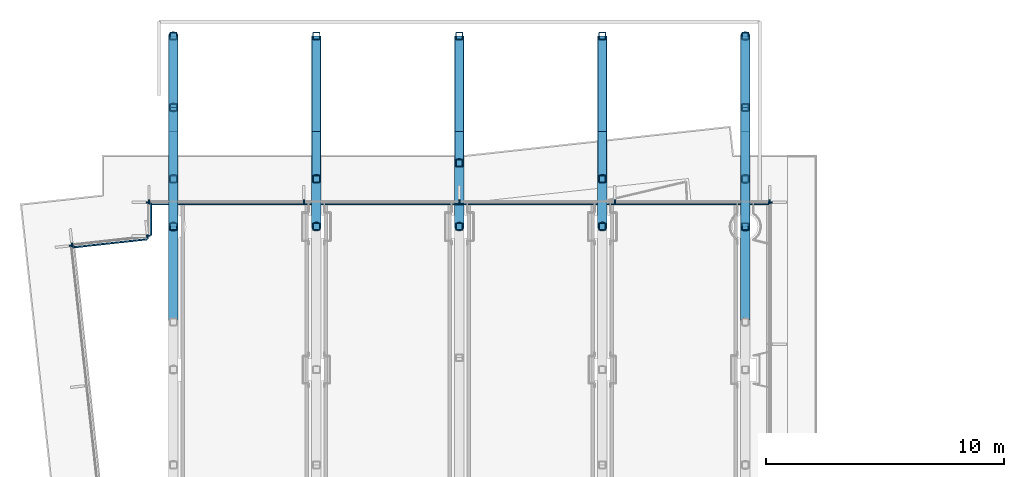
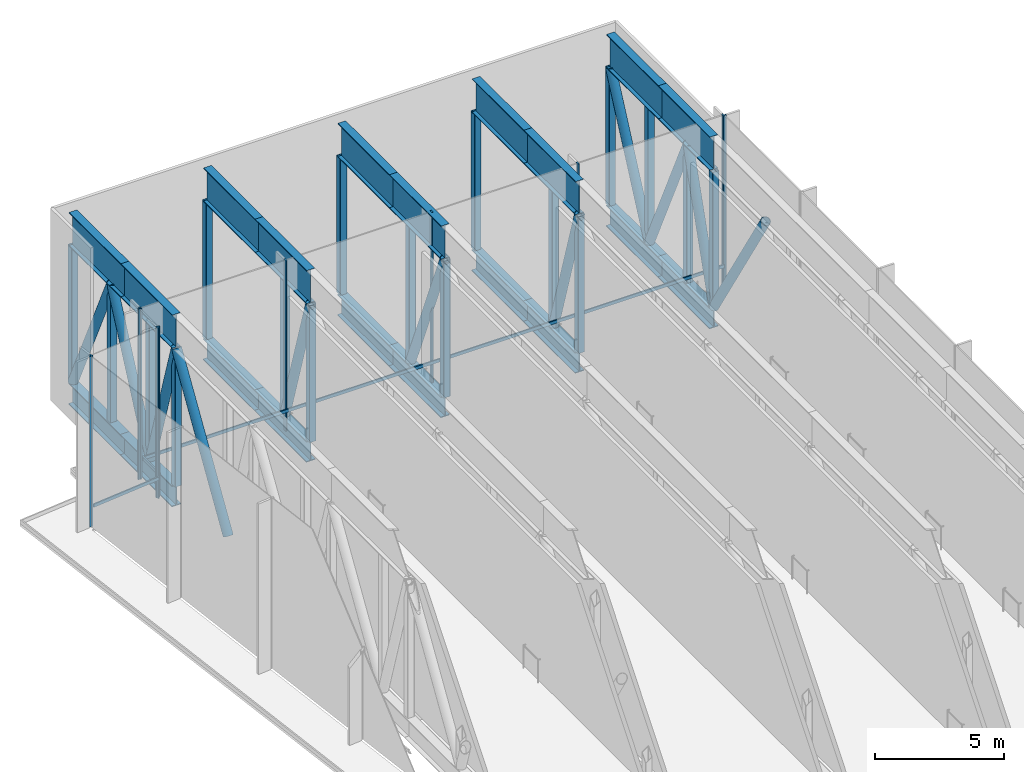
# One storey, part 9 of 22: 62 members, 5 elements without a shape of their own.
"""IFC4 building model written with IfcOpenShell, lengths in metres."""

from ifc_helpers import new_model, si_unit, direction, frame, origin, origin_2d, place, context, subcontext, project, spatial, rectangle, hollow_rectangle, hollow_circle, i_section, extrude, material, layer, layer_set, material_profile, profile_set, type_object, element, aggregate, save


model = new_model("IFC4")

# Units and contexts
model_context = context("Model", 3, precision=1e-05, world=origin(), true_north=direction((0.0, 1.0)))
body_context = subcontext(model_context, "Body", "Model", "MODEL_VIEW")
ifc_project = project(units=[si_unit("LENGTHUNIT", "METRE"), si_unit("AREAUNIT", "SQUARE_METRE"), si_unit("VOLUMEUNIT", "CUBIC_METRE"), si_unit("PLANEANGLEUNIT", "RADIAN"), si_unit("MASSUNIT", "GRAM", prefix="KILO")], contexts=[model_context])

# Site, building, storey
site_placement = place(None, origin())
site = spatial("IfcSite", under=ifc_project, at=site_placement, CompositionType="ELEMENT")
building_placement = place(site_placement, origin())
building = spatial("IfcBuilding", under=site, at=building_placement, Name="Welwitschia Terrace Campus", CompositionType="ELEMENT")
storey_placement = place(building_placement, frame((0.0, 0.0, 197.0)))
storey = spatial("IfcBuildingStorey", under=building, at=storey_placement, Name="L44", CompositionType="ELEMENT", Elevation=197.0)

# Curtain wall, member
ifc_material_1 = material(Name="Bronze anodised aluminium", Category="aluminium")
ifc_layer = layer(ifc_material_1, 0.159912109375)
ifc_layer_set = layer_set([ifc_layer], Name="Bronze anodised aluminium")
curtain_wall_type = type_object("IfcCurtainWallType", Name="Curtain wall CW3 commons 6000", PredefinedType="NOTDEFINED", material=ifc_layer_set)
curtain_wall_1_placement = place(storey_placement, origin())
curtain_wall_1 = element("IfcCurtainWall", 1, at=curtain_wall_1_placement, inside=storey, type_object=curtain_wall_type, Name="CW L44.4.0", PredefinedType="NOTDEFINED")
ifc_material_2 = material(Name="Bronze anodised aluminium", Category="aluminium")
ifc_material_profile_1 = material_profile(ifc_material_2, rectangle(XDim=0.159912109375, YDim=0.06005859375, at=origin_2d()))
ifc_profile_set_1 = profile_set([ifc_material_profile_1], Name="Bronze anodised aluminium")
member_type_1 = type_object("IfcMemberType", Name="Mullion 60x160", PredefinedType="MULLION", material=ifc_profile_set_1)
member_1_placement = place(storey_placement, frame((25.050048828125, 63.02001953125, 0.0), z_axis=(0.0, 0.0, 1.0), x_axis=(-1.0, 0.0, 0.0)))
member_1 = element("IfcMember", 2, at=member_1_placement, type_object=member_type_1, Name="Mullion L44.4.0.5", PredefinedType="MULLION", context=body_context, shape_type="SweptSolid", body=[
    extrude(rectangle(XDim=0.159912109375, YDim=0.06005859375, at=origin_2d()), origin(), (0.0, 0.0, 1.0), 8.050048828125),
])
aggregate(curtain_wall_1, [member_1])

# Curtain wall, members
curtain_wall_2_placement = place(storey_placement, origin())
curtain_wall_2 = element("IfcCurtainWall", 3, at=curtain_wall_2_placement, inside=storey, type_object=curtain_wall_type, Name="CW L44.5.0", PredefinedType="NOTDEFINED")
member_2_placement = place(storey_placement, frame((25.02001953125, 63.050048828125, 0.0), z_axis=(0.0, 0.0, 1.0), x_axis=(0.0, -1.0, 0.0)))
member_2 = element("IfcMember", 4, at=member_2_placement, type_object=member_type_1, Name="Mullion L44.5.0.0", PredefinedType="MULLION", context=body_context, shape_type="SweptSolid", body=[
    extrude(rectangle(XDim=0.159912109375, YDim=0.06005859375, at=origin_2d()), origin(), (0.0, 0.0, 1.0), 8.050048828125),
])
member_3_placement = place(storey_placement, frame((18.52490234375, 63.050048828125, 0.0), z_axis=(0.0, 0.0, 1.0), x_axis=(0.0, -1.0, 0.0)))
member_3 = element("IfcMember", 5, at=member_3_placement, type_object=member_type_1, Name="Mullion L44.5.0.1", PredefinedType="MULLION", context=body_context, shape_type="SweptSolid", body=[
    extrude(rectangle(XDim=0.159912109375, YDim=0.06005859375, at=origin_2d()), origin(), (0.0, 0.0, 1.0), 8.050048828125),
])
member_4_placement = place(storey_placement, frame((12.0, 63.050048828125, 0.0), z_axis=(0.0, 0.0, 1.0), x_axis=(0.0, -1.0, 0.0)))
member_4 = element("IfcMember", 6, at=member_4_placement, type_object=member_type_1, Name="Mullion L44.5.0.2", PredefinedType="MULLION", context=body_context, shape_type="SweptSolid", body=[
    extrude(rectangle(XDim=0.159912109375, YDim=0.06005859375, at=origin_2d()), origin(), (0.0, 0.0, 1.0), 8.050048828125),
])
member_5_placement = place(storey_placement, frame((5.47509765625, 63.050048828125, 0.0), z_axis=(0.0, 0.0, 1.0), x_axis=(0.0, -1.0, 0.0)))
member_5 = element("IfcMember", 7, at=member_5_placement, type_object=member_type_1, Name="Mullion L44.5.0.3", PredefinedType="MULLION", context=body_context, shape_type="SweptSolid", body=[
    extrude(rectangle(XDim=0.159912109375, YDim=0.06005859375, at=origin_2d()), origin(), (0.0, 0.0, 1.0), 8.050048828125),
])
member_6_placement = place(storey_placement, frame((-1.02001953125, 63.050048828125, 0.0), z_axis=(0.0, 0.0, 1.0), x_axis=(0.0, -1.0, 0.0)))
member_6 = element("IfcMember", 8, at=member_6_placement, type_object=member_type_1, Name="Mullion L44.5.0.4", PredefinedType="MULLION", context=body_context, shape_type="SweptSolid", body=[
    extrude(rectangle(XDim=0.159912109375, YDim=0.06005859375, at=origin_2d()), origin(), (0.0, 0.0, 1.0), 8.050048828125),
])

curtain_wall_3_placement = place(storey_placement, origin())
curtain_wall_3 = element("IfcCurtainWall", 9, at=curtain_wall_3_placement, inside=storey, type_object=curtain_wall_type, Name="CW L44.6.0", PredefinedType="NOTDEFINED")
member_7_placement = place(storey_placement, frame((-1.050048828125, 63.02001953125, 0.0), z_axis=(0.0, 0.0, 1.0), x_axis=(1.0, 0.0, 0.0)))
member_7 = element("IfcMember", 10, at=member_7_placement, type_object=member_type_1, Name="Mullion L44.6.0.0", PredefinedType="MULLION", context=body_context, shape_type="SweptSolid", body=[
    extrude(rectangle(XDim=0.159912109375, YDim=0.06005859375, at=origin_2d()), origin(), (0.0, 0.0, 1.0), 8.050048828125),
])
member_8_placement = place(storey_placement, frame((-1.050048828125, 61.61669921875, 0.0), z_axis=(0.0, 0.0, 1.0), x_axis=(1.0, 0.0, 0.0)))
member_8 = element("IfcMember", 11, at=member_8_placement, type_object=member_type_1, Name="Mullion L44.6.0.1", PredefinedType="MULLION", context=body_context, shape_type="SweptSolid", body=[
    extrude(rectangle(XDim=0.159912109375, YDim=0.06005859375, at=origin_2d()), origin(), (0.0, 0.0, 1.0), 8.050048828125),
])

curtain_wall_4_placement = place(storey_placement, origin())
curtain_wall_4 = element("IfcCurtainWall", 12, at=curtain_wall_4_placement, inside=storey, type_object=curtain_wall_type, Name="CW L44.7.0", PredefinedType="NOTDEFINED")
member_9_placement = place(storey_placement, frame((-1.079833984375, 61.58349609375, 0.0), z_axis=(0.0, 0.0, 1.0), x_axis=(0.108866874852, -0.994056338222, 0.0)))
member_9 = element("IfcMember", 13, at=member_9_placement, type_object=member_type_1, Name="Mullion L44.7.0.0", PredefinedType="MULLION", context=body_context, shape_type="SweptSolid", body=[
    extrude(rectangle(XDim=0.159912109375, YDim=0.06005859375, at=origin_2d()), origin(), (0.0, 0.0, 1.0), 8.050048828125),
])
member_10_placement = place(storey_placement, frame((-4.2529296875, 61.23583984375, 0.0), z_axis=(0.0, 0.0, 1.0), x_axis=(0.108866874852, -0.994056338222, 0.0)))
member_10 = element("IfcMember", 14, at=member_10_placement, type_object=member_type_1, Name="Mullion L44.7.0.1", PredefinedType="MULLION", context=body_context, shape_type="SweptSolid", body=[
    extrude(rectangle(XDim=0.159912109375, YDim=0.06005859375, at=origin_2d()), origin(), (0.0, 0.0, 1.0), 8.050048828125),
])

# Curtain wall, member
curtain_wall_5_placement = place(storey_placement, origin())
curtain_wall_5 = element("IfcCurtainWall", 15, at=curtain_wall_5_placement, inside=storey, type_object=curtain_wall_type, Name="CW L44.8.0", PredefinedType="NOTDEFINED")
member_11_placement = place(storey_placement, frame((-4.279541015625, 61.202880859375, 0.0), z_axis=(0.0, 0.0, 1.0), x_axis=(0.994056338222, 0.108866874852, 0.0)))
member_11 = element("IfcMember", 16, at=member_11_placement, type_object=member_type_1, Name="Mullion L44.8.0.0", PredefinedType="MULLION", context=body_context, shape_type="SweptSolid", body=[
    extrude(rectangle(XDim=0.159912109375, YDim=0.06005859375, at=origin_2d()), origin(), (0.0, 0.0, 1.0), 8.050048828125),
])
aggregate(curtain_wall_5, [member_11])

# Members
ifc_material_3 = material(Name="Steel S355", Category="steel")
ifc_material_profile_2 = material_profile(ifc_material_3, i_section(OverallWidth=0.39990234375, OverallDepth=1.0, WebThickness=0.034912109375, FlangeThickness=0.0400390625, at=origin_2d()))
ifc_profile_set_2 = profile_set([ifc_material_profile_2], Name="Steel S355")
member_type_2 = type_object("IfcMemberType", Name="Transfer truss C3 bottom cantilever chord WI 1000x400x35x40", PredefinedType="CHORD", material=ifc_profile_set_2)
for number, where, z_axis, x_axis, name in (
    (17, (0.0, 62.0, -0.5), (0.0, 1.0, 0.0), (-1.0, 0.0, 0.0), "Truss bottom chord"),
    (18, (0.0, 66.0, -0.5), (0.0, 1.0, 0.0), (-1.0, 0.0, 0.0), "Truss bottom chord"),
    (19, (6.0, 62.0, -0.5), (0.0, 1.0, 0.0), (-1.0, 0.0, 0.0), "Truss bottom chord"),
    (20, (6.0, 66.0, -0.5), (0.0, 1.0, 0.0), (-1.0, 0.0, 0.0), "Truss bottom chord"),
    (21, (12.0, 62.0, -0.5), (0.0, 1.0, 0.0), (-1.0, 0.0, 0.0), "Truss bottom chord"),
    (22, (12.0, 66.0, -0.5), (0.0, 1.0, 0.0), (-1.0, 0.0, 0.0), "Truss bottom chord"),
    (23, (18.0, 62.0, -0.5), (0.0, 1.0, 0.0), (-1.0, 0.0, 0.0), "Truss bottom chord"),
    (24, (18.0, 66.0, -0.5), (0.0, 1.0, 0.0), (-1.0, 0.0, 0.0), "Truss bottom chord"),
    (25, (24.0, 62.0, -0.5), (0.0, 1.0, 0.0), (-1.0, 0.0, 0.0), "Truss bottom chord"),
    (26, (24.0, 66.0, -0.5), (0.0, 1.0, 0.0), (-1.0, 0.0, 0.0), "Truss bottom chord"),
):
    element("IfcMember", number, at=place(storey_placement, frame(where, z_axis=z_axis, x_axis=x_axis)), inside=storey, type_object=member_type_2, Name=name, PredefinedType="CHORD", context=body_context, shape_type="SweptSolid", body=[
        extrude(i_section(OverallWidth=0.39990234375, OverallDepth=1.0, WebThickness=0.034912109375, FlangeThickness=0.0400390625, at=origin_2d()), origin(), (0.0, 0.0, 1.0), 4.0),
    ])
ifc_material_4 = material(Name="Steel S355", Category="steel")
ifc_material_profile_3 = material_profile(ifc_material_4, hollow_circle(Radius=0.203125, WallThickness=0.01611328125, at=origin_2d()))
ifc_profile_set_3 = profile_set([ifc_material_profile_3], Name="Steel S355")
member_type_3 = type_object("IfcMemberType", Name="Transfer truss C3 diagonal CHS 406.4x16", PredefinedType="BRACE", material=ifc_profile_set_3)
member_12_placement = place(storey_placement, frame((0.0, 58.0, 0.0), z_axis=(0.0, 0.527037721004, 0.849841891553), x_axis=(-1.0, 0.0, 0.0)))
element("IfcMember", 27, at=member_12_placement, inside=storey, type_object=member_type_3, Name="Truss diagonal", PredefinedType="BRACE", context=body_context, shape_type="SweptSolid", body=[
    extrude(hollow_circle(Radius=0.203125, WallThickness=0.01611328125, at=origin_2d()), origin(), (0.0, 0.0, 1.0), 7.589599609375),
])
member_13_placement = place(storey_placement, frame((0.0, 64.0, 0.0), z_axis=(0.0, -0.296168365803, 0.955135749042), x_axis=(1.0, 0.0, 0.0)))
element("IfcMember", 28, at=member_13_placement, inside=storey, type_object=member_type_3, Name="Truss diagonal", PredefinedType="BRACE", context=body_context, shape_type="SweptSolid", body=[
    extrude(hollow_circle(Radius=0.203125, WallThickness=0.01611328125, at=origin_2d()), origin(), (0.0, 0.0, 1.0), 6.7529296875),
])
for number, where, z_axis, x_axis, name in (
    (29, (0.0, 64.0, 0.0), (0.0, 0.421733374511, 0.906719891049), (-1.0, 0.0, 0.0), "Truss diagonal"),
    (30, (0.0, 70.0, 0.0), (0.0, -0.421733374511, 0.906719891049), (1.0, 0.0, 0.0), "Truss diagonal"),
):
    element("IfcMember", number, at=place(storey_placement, frame(where, z_axis=z_axis, x_axis=x_axis)), inside=storey, type_object=member_type_3, Name=name, PredefinedType="BRACE", context=body_context, shape_type="SweptSolid", body=[
        extrude(hollow_circle(Radius=0.203125, WallThickness=0.01611328125, at=origin_2d()), origin(), (0.0, 0.0, 1.0), 7.113525390625),
    ])
member_14_placement = place(storey_placement, frame((6.0, 64.0, 0.0), z_axis=(0.0, -0.296168365803, 0.955135749042), x_axis=(1.0, 0.0, 0.0)))
element("IfcMember", 31, at=member_14_placement, inside=storey, type_object=member_type_3, Name="Truss diagonal", PredefinedType="BRACE", context=body_context, shape_type="SweptSolid", body=[
    extrude(hollow_circle(Radius=0.203125, WallThickness=0.01611328125, at=origin_2d()), origin(), (0.0, 0.0, 1.0), 6.7529296875),
])
member_15_placement = place(storey_placement, frame((12.0, 64.6669921875, 0.0), z_axis=(0.0, -0.382112855981, 0.924115666621), x_axis=(1.0, 0.0, 0.0)))
element("IfcMember", 32, at=member_15_placement, inside=storey, type_object=member_type_3, Name="Truss diagonal", PredefinedType="BRACE", context=body_context, shape_type="SweptSolid", body=[
    extrude(hollow_circle(Radius=0.203125, WallThickness=0.01611328125, at=origin_2d()), origin(), (0.0, 0.0, 1.0), 6.9794921875),
])
member_16_placement = place(storey_placement, frame((18.0, 64.0, 0.0), z_axis=(0.0, -0.296168365803, 0.955135749042), x_axis=(1.0, 0.0, 0.0)))
element("IfcMember", 33, at=member_16_placement, inside=storey, type_object=member_type_3, Name="Truss diagonal", PredefinedType="BRACE", context=body_context, shape_type="SweptSolid", body=[
    extrude(hollow_circle(Radius=0.203125, WallThickness=0.01611328125, at=origin_2d()), origin(), (0.0, 0.0, 1.0), 6.7529296875),
])
member_17_placement = place(storey_placement, frame((24.0, 62.0, 0.0), z_axis=(0.0, -0.527037721004, 0.849841891553), x_axis=(1.0, 0.0, 0.0)))
element("IfcMember", 34, at=member_17_placement, inside=storey, type_object=member_type_3, Name="Truss diagonal", PredefinedType="BRACE", context=body_context, shape_type="SweptSolid", body=[
    extrude(hollow_circle(Radius=0.203125, WallThickness=0.01611328125, at=origin_2d()), origin(), (0.0, 0.0, 1.0), 7.589599609375),
])
member_18_placement = place(storey_placement, frame((24.0, 62.0, 0.0), z_axis=(0.0, 0.296168365803, 0.955135749042), x_axis=(-1.0, 0.0, 0.0)))
element("IfcMember", 35, at=member_18_placement, inside=storey, type_object=member_type_3, Name="Truss diagonal", PredefinedType="BRACE", context=body_context, shape_type="SweptSolid", body=[
    extrude(hollow_circle(Radius=0.203125, WallThickness=0.01611328125, at=origin_2d()), origin(), (0.0, 0.0, 1.0), 6.7529296875),
])
for number, where, z_axis, x_axis, name in (
    (36, (24.0, 67.0, 0.0), (0.0, -0.421733374511, 0.906719891049), (1.0, 0.0, 0.0), "Truss diagonal"),
    (37, (24.0, 67.0, 0.0), (0.0, 0.421733374511, 0.906719891049), (-1.0, 0.0, 0.0), "Truss diagonal"),
):
    element("IfcMember", number, at=place(storey_placement, frame(where, z_axis=z_axis, x_axis=x_axis)), inside=storey, type_object=member_type_3, Name=name, PredefinedType="BRACE", context=body_context, shape_type="SweptSolid", body=[
        extrude(hollow_circle(Radius=0.203125, WallThickness=0.01611328125, at=origin_2d()), origin(), (0.0, 0.0, 1.0), 7.113525390625),
    ])
ifc_material_5 = material(Name="Steel S355", Category="steel")
ifc_material_profile_4 = material_profile(ifc_material_5, hollow_rectangle(XDim=0.300048828125, YDim=0.300048828125, WallThickness=0.01611328125, InnerFilletRadius=0.01611328125, OuterFilletRadius=0.02392578125, at=origin_2d()))
ifc_profile_set_4 = profile_set([ifc_material_profile_4], Name="Steel S355")
member_type_4 = type_object("IfcMemberType", Name="Transfer truss C3 post SHS 300x300x16", PredefinedType="POST", material=ifc_profile_set_4)
for number, where, z_axis, x_axis, name in (
    (38, (0.0, 62.0, 0.0), (0.0, 0.0, 1.0), (1.0, 0.0, 0.0), "Truss post"),
    (39, (0.0, 64.0, 0.0), (0.0, 0.0, 1.0), (1.0, 0.0, 0.0), "Truss post"),
    (40, (0.0, 67.0, 0.0), (0.0, 0.0, 1.0), (1.0, 0.0, 0.0), "Truss post"),
    (41, (0.0, 70.0, 0.0), (0.0, 0.0, 1.0), (1.0, 0.0, 0.0), "Truss post"),
    (42, (6.0, 62.0, 0.0), (0.0, 0.0, 1.0), (1.0, 0.0, 0.0), "Truss post"),
    (43, (6.0, 64.0, 0.0), (0.0, 0.0, 1.0), (1.0, 0.0, 0.0), "Truss post"),
    (44, (6.0, 70.0, 0.0), (0.0, 0.0, 1.0), (1.0, 0.0, 0.0), "Truss post"),
    (45, (12.0, 62.0, 0.0), (0.0, 0.0, 1.0), (1.0, 0.0, 0.0), "Truss post"),
    (46, (12.0, 64.6669921875, 0.0), (0.0, 0.0, 1.0), (1.0, 0.0, 0.0), "Truss post"),
    (47, (12.0, 70.0, 0.0), (0.0, 0.0, 1.0), (1.0, 0.0, 0.0), "Truss post"),
    (48, (18.0, 62.0, 0.0), (0.0, 0.0, 1.0), (1.0, 0.0, 0.0), "Truss post"),
    (49, (18.0, 64.0, 0.0), (0.0, 0.0, 1.0), (1.0, 0.0, 0.0), "Truss post"),
    (50, (18.0, 70.0, 0.0), (0.0, 0.0, 1.0), (1.0, 0.0, 0.0), "Truss post"),
    (51, (24.0, 62.0, 0.0), (0.0, 0.0, 1.0), (1.0, 0.0, 0.0), "Truss post"),
    (52, (24.0, 64.0, 0.0), (0.0, 0.0, 1.0), (1.0, 0.0, 0.0), "Truss post"),
    (53, (24.0, 67.0, 0.0), (0.0, 0.0, 1.0), (1.0, 0.0, 0.0), "Truss post"),
    (54, (24.0, 70.0, 0.0), (0.0, 0.0, 1.0), (1.0, 0.0, 0.0), "Truss post"),
):
    element("IfcMember", number, at=place(storey_placement, frame(where, z_axis=z_axis, x_axis=x_axis)), inside=storey, type_object=member_type_4, Name=name, PredefinedType="POST", context=body_context, shape_type="SweptSolid", body=[
        extrude(hollow_rectangle(XDim=0.300048828125, YDim=0.300048828125, WallThickness=0.01611328125, InnerFilletRadius=0.01611328125, OuterFilletRadius=0.02392578125, at=origin_2d()), origin(), (0.0, 0.0, 1.0), 6.449951171875),
    ])
ifc_material_6 = material(Name="Steel S355", Category="steel")
ifc_material_profile_5 = material_profile(ifc_material_6, i_section(OverallWidth=0.35009765625, OverallDepth=1.60009765625, WebThickness=0.034912109375, FlangeThickness=0.0400390625, at=origin_2d()))
ifc_profile_set_5 = profile_set([ifc_material_profile_5], Name="Steel S355")
member_type_5 = type_object("IfcMemberType", Name="Transfer truss C3 top cantilever chord WI 1600x350x35x40", PredefinedType="CHORD", material=ifc_profile_set_5)
for number, where, z_axis, x_axis, name in (
    (55, (0.0, 62.0, 7.25), (0.0, 1.0, 0.0), (-1.0, 0.0, 0.0), "Truss top chord"),
    (56, (0.0, 66.0, 7.25), (0.0, 1.0, 0.0), (-1.0, 0.0, 0.0), "Truss top chord"),
    (57, (6.0, 62.0, 7.25), (0.0, 1.0, 0.0), (-1.0, 0.0, 0.0), "Truss top chord"),
    (58, (6.0, 66.0, 7.25), (0.0, 1.0, 0.0), (-1.0, 0.0, 0.0), "Truss top chord"),
    (59, (12.0, 62.0, 7.25), (0.0, 1.0, 0.0), (-1.0, 0.0, 0.0), "Truss top chord"),
    (60, (12.0, 66.0, 7.25), (0.0, 1.0, 0.0), (-1.0, 0.0, 0.0), "Truss top chord"),
    (61, (18.0, 62.0, 7.25), (0.0, 1.0, 0.0), (-1.0, 0.0, 0.0), "Truss top chord"),
    (62, (18.0, 66.0, 7.25), (0.0, 1.0, 0.0), (-1.0, 0.0, 0.0), "Truss top chord"),
    (63, (24.0, 62.0, 7.25), (0.0, 1.0, 0.0), (-1.0, 0.0, 0.0), "Truss top chord"),
    (64, (24.0, 66.0, 7.25), (0.0, 1.0, 0.0), (-1.0, 0.0, 0.0), "Truss top chord"),
):
    element("IfcMember", number, at=place(storey_placement, frame(where, z_axis=z_axis, x_axis=x_axis)), inside=storey, type_object=member_type_5, Name=name, PredefinedType="CHORD", context=body_context, shape_type="SweptSolid", body=[
        extrude(i_section(OverallWidth=0.35009765625, OverallDepth=1.60009765625, WebThickness=0.034912109375, FlangeThickness=0.0400390625, at=origin_2d()), origin(), (0.0, 0.0, 1.0), 4.0),
    ])

# Member
ifc_material_7 = material(Name="Bronze anodised aluminium", Category="aluminium")
ifc_material_profile_6 = material_profile(ifc_material_7, rectangle(XDim=0.06005859375, YDim=0.14990234375, at=origin_2d()))
ifc_profile_set_6 = profile_set([ifc_material_profile_6], Name="Bronze anodised aluminium")
member_type_6 = type_object("IfcMemberType", Name="Transom 60x150", PredefinedType="USERDEFINED", material=ifc_profile_set_6)
member_19_placement = place(storey_placement, frame((24.989990234375, 62.93994140625, 1.0), z_axis=(-1.0, 0.0, 0.0), x_axis=(0.0, -1.0, 0.0)))
member_19 = element("IfcMember", 65, at=member_19_placement, type_object=member_type_6, Name="Transom L44.5.0", ObjectType="TRANSOM", PredefinedType="USERDEFINED", context=body_context, shape_type="SweptSolid", body=[
    extrude(rectangle(XDim=0.06005859375, YDim=0.14990234375, at=origin_2d()), origin(), (0.0, 0.0, 1.0), 25.97998046875),
])

aggregate(curtain_wall_2, [member_2, member_3, member_4, member_5, member_6, member_19])

member_20_placement = place(storey_placement, frame((-0.93994140625, 62.989990234375, 1.0), z_axis=(0.0, -1.0, 0.0), x_axis=(1.0, 0.0, 0.0)))
member_20 = element("IfcMember", 66, at=member_20_placement, type_object=member_type_6, Name="Transom L44.6.0", ObjectType="TRANSOM", PredefinedType="USERDEFINED", context=body_context, shape_type="SweptSolid", body=[
    extrude(rectangle(XDim=0.06005859375, YDim=0.14990234375, at=origin_2d()), origin(), (0.0, 0.0, 1.0), 1.34326171875),
])

aggregate(curtain_wall_3, [member_7, member_8, member_20])

member_21_placement = place(storey_placement, frame((-1.09765625, 61.470703125, 1.0), z_axis=(-0.994062078444, -0.108814448483, 0.0), x_axis=(0.108814448483, -0.994062078444, 0.0)))
member_21 = element("IfcMember", 67, at=member_21_placement, type_object=member_type_6, Name="Transom L44.7.0", ObjectType="TRANSOM", PredefinedType="USERDEFINED", context=body_context, shape_type="SweptSolid", body=[
    extrude(rectangle(XDim=0.06005859375, YDim=0.14990234375, at=origin_2d()), origin(), (0.0, 0.0, 1.0), 3.132080078125),
])

aggregate(curtain_wall_4, [member_9, member_10, member_21])

save(model, "model.ifc")
